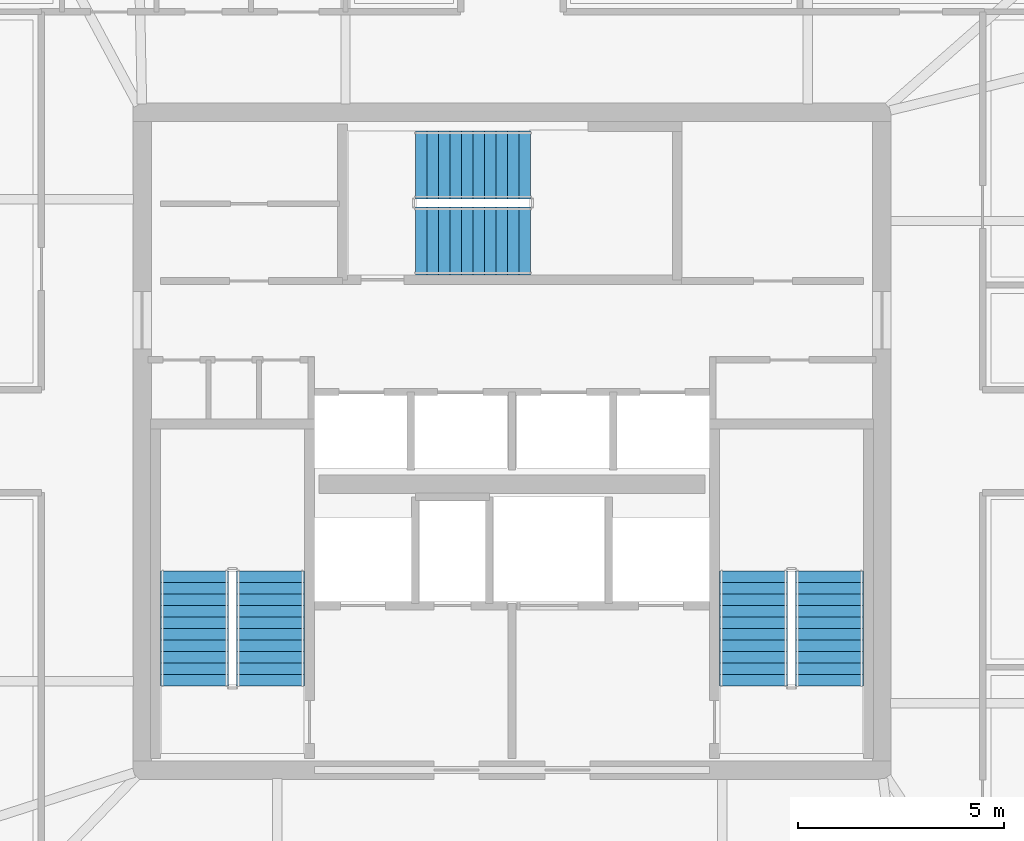
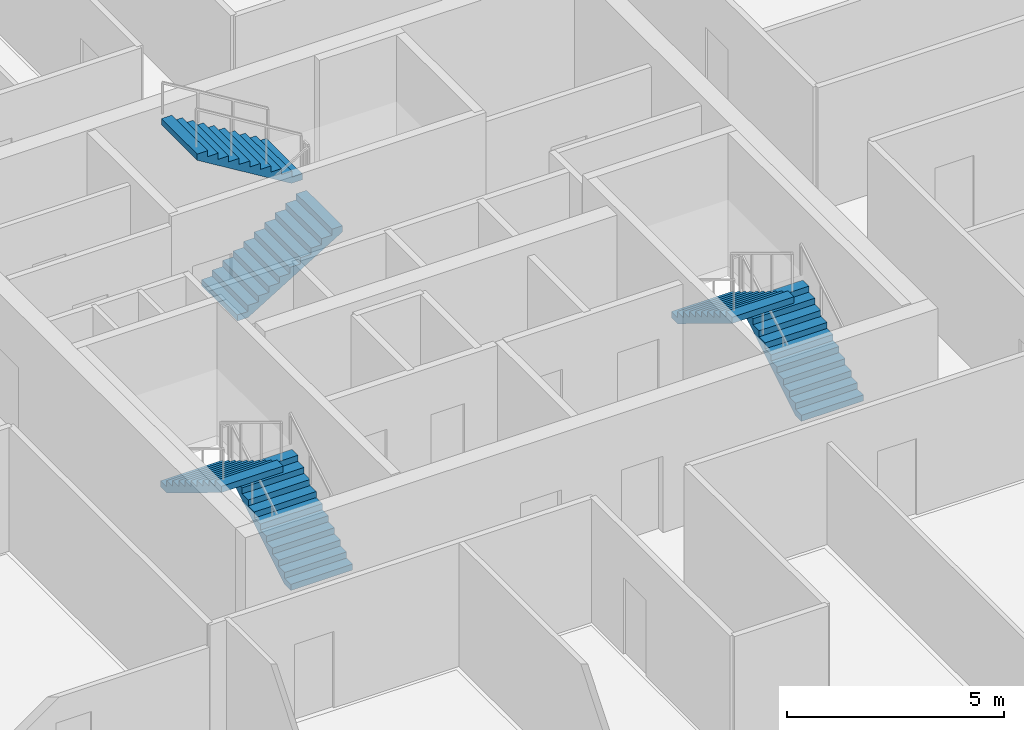
# One storey, part 22 of 27: 6 stair flights, 3 elements without a shape of their own.
"""IFC4 building model written with IfcOpenShell, lengths in metres."""

from ifc_helpers import new_model, si_unit, direction, frame, origin, place, context, subcontext, project, spatial, polyline, outline, extrude, material, type_object, element, aggregate, save


model = new_model("IFC4")

# Units and contexts
model_context = context("Model", 3, precision=1e-05, world=origin(), true_north=direction((0.0, 1.0)))
body_context = subcontext(model_context, "Body", "Model", "MODEL_VIEW")
ifc_project = project(units=[si_unit("LENGTHUNIT", "METRE"), si_unit("AREAUNIT", "SQUARE_METRE"), si_unit("VOLUMEUNIT", "CUBIC_METRE"), si_unit("PLANEANGLEUNIT", "RADIAN"), si_unit("MASSUNIT", "GRAM", prefix="KILO")], contexts=[model_context])

# Site, building, storey
site_placement = place(None, origin())
site = spatial("IfcSite", under=ifc_project, at=site_placement, CompositionType="ELEMENT")
building_placement = place(site_placement, origin())
building = spatial("IfcBuilding", under=site, at=building_placement, Name="Haldenkirk Collegiate Tower", CompositionType="ELEMENT")
storey_placement = place(building_placement, frame((0.0, 0.0, 259.949951171875)))
storey = spatial("IfcBuildingStorey", under=building, at=storey_placement, Name="L65", CompositionType="ELEMENT", Elevation=259.949951171875)

# Stair, stair flights
ifc_material = material(Name="Concrete f'c 40 MPa", Category="concrete")
stair_type = type_object("IfcStairType", Name="STR-DOGLEG-1650", PredefinedType="HALF_TURN_STAIR", material=ifc_material)
stair_1_placement = place(storey_placement, origin())
stair_1 = element("IfcStair", 1, at=stair_1_placement, inside=storey, type_object=stair_type, Name="L65 Core Exit Stair ST-1", PredefinedType="HALF_TURN_STAIR")
stair_flight_type = type_object("IfcStairFlightType", Name="STF-FLIGHT-1650", PredefinedType="STRAIGHT", material=ifc_material)
stair_flight_1_placement = place(storey_placement, frame((30.125, 20.050048828125, 0.0), z_axis=(0.0, 0.0, 1.0), x_axis=(0.0, 1.0, 0.0)))
stair_flight_1 = element("IfcStairFlight", 2, at=stair_flight_1_placement, type_object=stair_flight_type, Name="ST-1 flight 1", NumberOfRisers=11, NumberOfTreads=10, PredefinedType="STRAIGHT", RiserHeight=0.170454545, TreadLength=0.28, context=body_context, shape_type="SweptSolid", body=[
    extrude(outline(polyline([(0.0, 0.0), (0.0, 0.17041015625), (0.280029296875, 0.17041015625), (0.280029296875, 0.3408203125), (0.56005859375, 0.3408203125), (0.56005859375, 0.511474609375), (0.840087890625, 0.511474609375), (0.840087890625, 0.681884765625), (1.1201171875, 0.681884765625), (1.1201171875, 0.852294921875), (1.39990234375, 0.852294921875), (1.39990234375, 1.022705078125), (1.679931640625, 1.022705078125), (1.679931640625, 1.193115234375), (1.9599609375, 1.193115234375), (1.9599609375, 1.363525390625), (2.239990234375, 1.363525390625), (2.239990234375, 1.5341796875), (2.52001953125, 1.5341796875), (2.52001953125, 1.70458984375), (2.800048828125, 1.70458984375), (2.800048828125, 1.875), (2.800048828125, 1.529052734375), (0.288330078125, 0.0), (0.0, 0.0)])), frame((0.0, 0.824951171875, 0.0), z_axis=(0.0, -1.0, 0.0), x_axis=(1.0, 0.0, 0.0)), (0.0, 0.0, 1.0), 1.64990234375),
])
stair_flight_2_placement = place(storey_placement, frame((28.27490234375, 22.85009765625, 1.875), z_axis=(0.0, 0.0, 1.0), x_axis=(0.0, -1.0, 0.0)))
stair_flight_2 = element("IfcStairFlight", 3, at=stair_flight_2_placement, type_object=stair_flight_type, Name="ST-1 flight 2", NumberOfRisers=11, NumberOfTreads=10, PredefinedType="STRAIGHT", RiserHeight=0.170454545, TreadLength=0.28, context=body_context, shape_type="SweptSolid", body=[
    extrude(outline(polyline([(0.0, 0.0), (0.0, 0.17041015625), (0.280029296875, 0.17041015625), (0.280029296875, 0.3408203125), (0.56005859375, 0.3408203125), (0.56005859375, 0.511474609375), (0.840087890625, 0.511474609375), (0.840087890625, 0.681884765625), (1.1201171875, 0.681884765625), (1.1201171875, 0.852294921875), (1.39990234375, 0.852294921875), (1.39990234375, 1.022705078125), (1.679931640625, 1.022705078125), (1.679931640625, 1.193115234375), (1.9599609375, 1.193115234375), (1.9599609375, 1.363525390625), (2.239990234375, 1.363525390625), (2.239990234375, 1.5341796875), (2.52001953125, 1.5341796875), (2.52001953125, 1.70458984375), (2.800048828125, 1.70458984375), (2.800048828125, 1.875), (2.800048828125, 1.529052734375), (0.288330078125, 0.0), (0.0, 0.0)])), frame((0.0, 0.824951171875, 0.0), z_axis=(0.0, -1.0, 0.0), x_axis=(1.0, 0.0, 0.0)), (0.0, 0.0, 1.0), 1.64990234375),
])
aggregate(stair_1, [stair_flight_1, stair_flight_2])

stair_2_placement = place(storey_placement, origin())
stair_2 = element("IfcStair", 4, at=stair_2_placement, inside=storey, type_object=stair_type, Name="L65 Core Exit Stair ST-2", PredefinedType="HALF_TURN_STAIR")
stair_flight_3_placement = place(storey_placement, frame((43.72509765625, 20.050048828125, 0.0), z_axis=(0.0, 0.0, 1.0), x_axis=(0.0, 1.0, 0.0)))
stair_flight_3 = element("IfcStairFlight", 5, at=stair_flight_3_placement, type_object=stair_flight_type, Name="ST-2 flight 1", NumberOfRisers=11, NumberOfTreads=10, PredefinedType="STRAIGHT", RiserHeight=0.170454545, TreadLength=0.28, context=body_context, shape_type="SweptSolid", body=[
    extrude(outline(polyline([(0.0, 0.0), (0.0, 0.17041015625), (0.280029296875, 0.17041015625), (0.280029296875, 0.3408203125), (0.56005859375, 0.3408203125), (0.56005859375, 0.511474609375), (0.840087890625, 0.511474609375), (0.840087890625, 0.681884765625), (1.1201171875, 0.681884765625), (1.1201171875, 0.852294921875), (1.39990234375, 0.852294921875), (1.39990234375, 1.022705078125), (1.679931640625, 1.022705078125), (1.679931640625, 1.193115234375), (1.9599609375, 1.193115234375), (1.9599609375, 1.363525390625), (2.239990234375, 1.363525390625), (2.239990234375, 1.5341796875), (2.52001953125, 1.5341796875), (2.52001953125, 1.70458984375), (2.800048828125, 1.70458984375), (2.800048828125, 1.875), (2.800048828125, 1.529052734375), (0.288330078125, 0.0), (0.0, 0.0)])), frame((0.0, 0.824951171875, 0.0), z_axis=(0.0, -1.0, 0.0), x_axis=(1.0, 0.0, 0.0)), (0.0, 0.0, 1.0), 1.64990234375),
])
stair_flight_4_placement = place(storey_placement, frame((41.875, 22.85009765625, 1.875), z_axis=(0.0, 0.0, 1.0), x_axis=(0.0, -1.0, 0.0)))
stair_flight_4 = element("IfcStairFlight", 6, at=stair_flight_4_placement, type_object=stair_flight_type, Name="ST-2 flight 2", NumberOfRisers=11, NumberOfTreads=10, PredefinedType="STRAIGHT", RiserHeight=0.170454545, TreadLength=0.28, context=body_context, shape_type="SweptSolid", body=[
    extrude(outline(polyline([(0.0, 0.0), (0.0, 0.17041015625), (0.280029296875, 0.17041015625), (0.280029296875, 0.3408203125), (0.56005859375, 0.3408203125), (0.56005859375, 0.511474609375), (0.840087890625, 0.511474609375), (0.840087890625, 0.681884765625), (1.1201171875, 0.681884765625), (1.1201171875, 0.852294921875), (1.39990234375, 0.852294921875), (1.39990234375, 1.022705078125), (1.679931640625, 1.022705078125), (1.679931640625, 1.193115234375), (1.9599609375, 1.193115234375), (1.9599609375, 1.363525390625), (2.239990234375, 1.363525390625), (2.239990234375, 1.5341796875), (2.52001953125, 1.5341796875), (2.52001953125, 1.70458984375), (2.800048828125, 1.70458984375), (2.800048828125, 1.875), (2.800048828125, 1.529052734375), (0.288330078125, 0.0), (0.0, 0.0)])), frame((0.0, 0.824951171875, 0.0), z_axis=(0.0, -1.0, 0.0), x_axis=(1.0, 0.0, 0.0)), (0.0, 0.0, 1.0), 1.64990234375),
])
aggregate(stair_2, [stair_flight_3, stair_flight_4])

stair_3_placement = place(storey_placement, origin())
stair_3 = element("IfcStair", 7, at=stair_3_placement, inside=storey, type_object=stair_type, Name="L65 Core Exit Stair ST-3", PredefinedType="HALF_TURN_STAIR")
stair_flight_5_placement = place(storey_placement, frame((33.64990234375, 30.875, 0.0), z_axis=(0.0, 0.0, 1.0), x_axis=(1.0, 0.0, 0.0)))
stair_flight_5 = element("IfcStairFlight", 8, at=stair_flight_5_placement, type_object=stair_flight_type, Name="ST-3 flight 1", NumberOfRisers=11, NumberOfTreads=10, PredefinedType="STRAIGHT", RiserHeight=0.170454545, TreadLength=0.28, context=body_context, shape_type="SweptSolid", body=[
    extrude(outline(polyline([(0.0, 0.0), (0.0, 0.17041015625), (0.280029296875, 0.17041015625), (0.280029296875, 0.3408203125), (0.56005859375, 0.3408203125), (0.56005859375, 0.511474609375), (0.840087890625, 0.511474609375), (0.840087890625, 0.681884765625), (1.1201171875, 0.681884765625), (1.1201171875, 0.852294921875), (1.39990234375, 0.852294921875), (1.39990234375, 1.022705078125), (1.679931640625, 1.022705078125), (1.679931640625, 1.193115234375), (1.9599609375, 1.193115234375), (1.9599609375, 1.363525390625), (2.239990234375, 1.363525390625), (2.239990234375, 1.5341796875), (2.52001953125, 1.5341796875), (2.52001953125, 1.70458984375), (2.800048828125, 1.70458984375), (2.800048828125, 1.875), (2.800048828125, 1.529052734375), (0.288330078125, 0.0), (0.0, 0.0)])), frame((0.0, 0.824951171875, 0.0), z_axis=(0.0, -1.0, 0.0), x_axis=(1.0, 0.0, 0.0)), (0.0, 0.0, 1.0), 1.64990234375),
])
stair_flight_6_placement = place(storey_placement, frame((36.449951171875, 32.72509765625, 1.875), z_axis=(0.0, 0.0, 1.0), x_axis=(-1.0, 0.0, 0.0)))
stair_flight_6 = element("IfcStairFlight", 9, at=stair_flight_6_placement, type_object=stair_flight_type, Name="ST-3 flight 2", NumberOfRisers=11, NumberOfTreads=10, PredefinedType="STRAIGHT", RiserHeight=0.170454545, TreadLength=0.28, context=body_context, shape_type="SweptSolid", body=[
    extrude(outline(polyline([(0.0, 0.0), (0.0, 0.17041015625), (0.280029296875, 0.17041015625), (0.280029296875, 0.3408203125), (0.56005859375, 0.3408203125), (0.56005859375, 0.511474609375), (0.840087890625, 0.511474609375), (0.840087890625, 0.681884765625), (1.1201171875, 0.681884765625), (1.1201171875, 0.852294921875), (1.39990234375, 0.852294921875), (1.39990234375, 1.022705078125), (1.679931640625, 1.022705078125), (1.679931640625, 1.193115234375), (1.9599609375, 1.193115234375), (1.9599609375, 1.363525390625), (2.239990234375, 1.363525390625), (2.239990234375, 1.5341796875), (2.52001953125, 1.5341796875), (2.52001953125, 1.70458984375), (2.800048828125, 1.70458984375), (2.800048828125, 1.875), (2.800048828125, 1.529052734375), (0.288330078125, 0.0), (0.0, 0.0)])), frame((0.0, 0.824951171875, 0.0), z_axis=(0.0, -1.0, 0.0), x_axis=(1.0, 0.0, 0.0)), (0.0, 0.0, 1.0), 1.64990234375),
])
aggregate(stair_3, [stair_flight_5, stair_flight_6])

save(model, "model.ifc")
